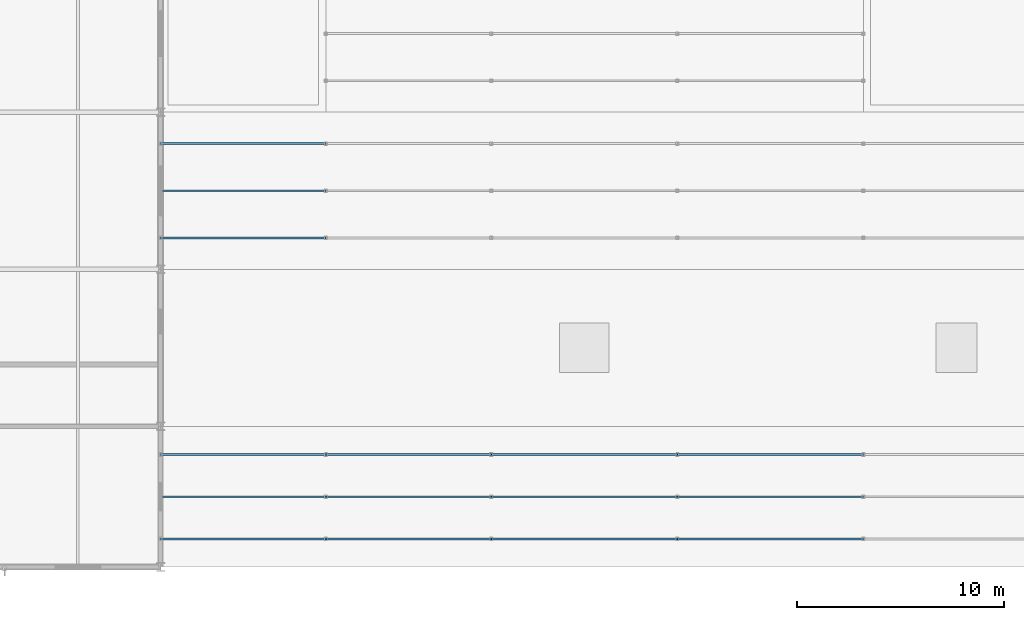
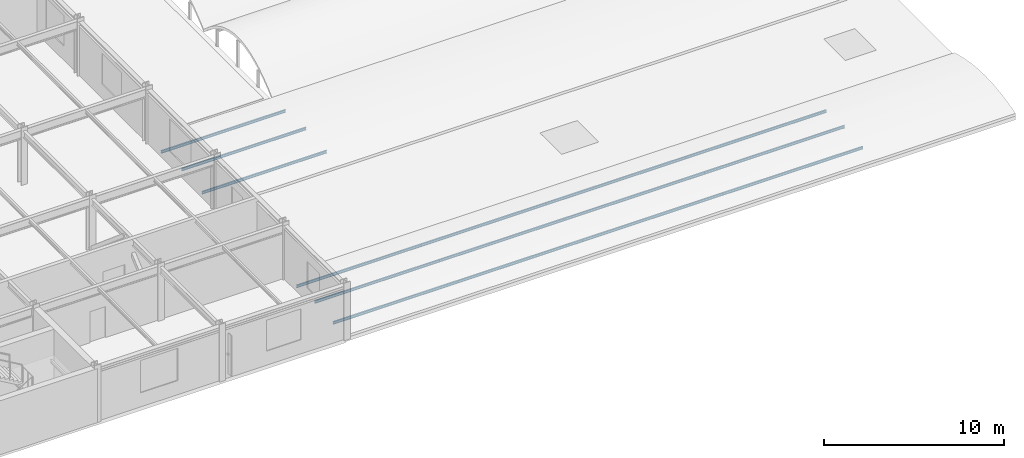
# One storey, part 14 of 46: 15 members.
"""IFC4 building model written with IfcOpenShell, lengths in metres."""

import ifcopenshell
import ifcopenshell.guid

model = None  # the IFC model being written
_history = None  # IfcOwnerHistory: only IFC2X3 demands one
_inside = {}  # id of a spatial element -> (the spatial element, [elements in it])
_under = {}  # id of a project, library or spatial element -> (it, [spatial elements below it])
_declared = {}  # id of a project -> (the project, [libraries it declares])
_typed = {}  # id of a type object -> (the type object, [elements of that type])
_made_of = {}  # id of a material, layer set ... -> (it, [elements and type objects made of it])


def new_model(schema):
    """Start an empty IFC model of exactly this schema.

    Asked for "IFC4X3", IfcOpenShell would pick the latest addendum, in which some entities
    have other attributes; the version numbers below select the first issue.
    IFC2X3 requires an IfcOwnerHistory on every rooted entity: one is made here for all.
    """
    global model, _history
    if schema == "IFC4X3":
        model = ifcopenshell.file(schema_version=(4, 3, 0, 0))
    else:
        model = ifcopenshell.file(schema=schema)
    _inside.clear()
    _under.clear()
    _declared.clear()
    _typed.clear()
    _made_of.clear()
    _history = None
    if model.schema == "IFC2X3":
        org = make("IfcOrganization", Name="unknown")
        user = make(
            "IfcPersonAndOrganization",
            ThePerson=make("IfcPerson", FamilyName="unknown"),
            TheOrganization=org,
        )
        app = make(
            "IfcApplication",
            ApplicationDeveloper=org,
            Version="unknown",
            ApplicationFullName="unknown",
            ApplicationIdentifier="unknown",
        )
        _history = make(
            "IfcOwnerHistory",
            OwningUser=user,
            OwningApplication=app,
            ChangeAction="ADDED",
            CreationDate=0,
        )
    return model


def make(cls, **values):
    """One entity of the class cls with the attributes given. An attribute that is None is left unset."""
    return model.create_entity(
        cls, **{name: value for name, value in values.items() if value is not None}
    )


def rooted(cls, **values):
    """An entity with a GlobalId (a new one), such as an element, a storey or a relation."""
    return make(cls, GlobalId=ifcopenshell.guid.new(), OwnerHistory=_history, **values)


def si_unit(unit_type, name, prefix=None):
    """IfcSIUnit, for example si_unit("LENGTHUNIT", "METRE", prefix="MILLI")."""
    return make("IfcSIUnit", UnitType=unit_type, Prefix=prefix, Name=name)


def assignment(units):
    """IfcUnitAssignment: the units of a project."""
    return None if units is None else make("IfcUnitAssignment", Units=units)


def point(xyz):
    """IfcCartesianPoint."""
    return None if xyz is None else make("IfcCartesianPoint", Coordinates=xyz)


def direction(xyz):
    """IfcDirection."""
    return None if xyz is None else make("IfcDirection", DirectionRatios=xyz)


def frame(location, z_axis=None, x_axis=None):
    """IfcAxis2Placement3D, a coordinate frame: its origin and axes. An axis left out is left unset."""
    return make(
        "IfcAxis2Placement3D",
        Location=point(location),
        Axis=direction(z_axis),
        RefDirection=direction(x_axis),
    )


def frame_2d(location, x_axis=None):
    """IfcAxis2Placement2D, a coordinate frame in the plane: its origin and x axis."""
    return make(
        "IfcAxis2Placement2D", Location=point(location), RefDirection=direction(x_axis)
    )


def origin():
    """The frame at (0, 0, 0) with its axes left unset."""
    return frame((0.0, 0.0, 0.0))


def origin_2d():
    """The frame at (0, 0) in the plane with its x axis left unset."""
    return frame_2d((0.0, 0.0))


def place(relative_to, where):
    """IfcLocalPlacement: puts the frame where relative to a parent placement (None: the world)."""
    return make(
        "IfcLocalPlacement", PlacementRelTo=relative_to, RelativePlacement=where
    )


def context(
    kind, dimensions, precision=None, world=None, true_north=None, identifier=None
):
    """IfcGeometricRepresentationContext, for example the 3D "Model" context."""
    return make(
        "IfcGeometricRepresentationContext",
        ContextIdentifier=identifier,
        ContextType=kind,
        CoordinateSpaceDimension=dimensions,
        Precision=precision,
        WorldCoordinateSystem=world,
        TrueNorth=true_north,
    )


def subcontext(parent, identifier, kind, view, scale=None):
    """IfcGeometricRepresentationSubContext, for example "Body" below "Model"."""
    return make(
        "IfcGeometricRepresentationSubContext",
        ContextIdentifier=identifier,
        ContextType=kind,
        ParentContext=parent,
        TargetScale=scale,
        TargetView=view,
    )


def project(units=None, contexts=None):
    """IfcProject with its units and contexts."""
    return rooted(
        "IfcProject",
        Name="project",
        RepresentationContexts=contexts,
        UnitsInContext=assignment(units),
    )


def spatial(cls, under=None, at=None, **own):
    """A site, building, storey or space (cls), placed at a placement, below another one or the project."""
    s = rooted(cls, ObjectPlacement=at, **own)
    if under is not None:
        _under.setdefault(under.id(), (under, []))[1].append(s)
    return s


def profile(cls, at=None, kind="AREA", **sizes):
    """A parametric profile (cls). Its sizes go by their IFC names, for example OverallWidth=200.0."""
    return make(cls, ProfileType=kind, Position=at, **sizes)


def i_section(**sizes):
    """IfcIShapeProfileDef."""
    return profile("IfcIShapeProfileDef", **sizes)


def extrude(swept, where, along, depth):
    """IfcExtrudedAreaSolid: the profile swept, set in the frame where, extruded along a direction by depth."""
    return make(
        "IfcExtrudedAreaSolid",
        SweptArea=swept,
        Position=where,
        ExtrudedDirection=direction(along),
        Depth=depth,
    )


def shape(context_of_items, identifier, shape_type, items):
    """IfcShapeRepresentation: the items that make up one representation, for example the "Body"."""
    return make(
        "IfcShapeRepresentation",
        ContextOfItems=context_of_items,
        RepresentationIdentifier=identifier,
        RepresentationType=shape_type,
        Items=items,
    )


def material(Name=None, Category=None):
    """IfcMaterial."""
    return make("IfcMaterial", Name=Name, Category=Category)


def material_profile(
    of_material, cross_section, Name=None, Category=None, Priority=None
):
    """IfcMaterialProfile: a cross section and its material."""
    return make(
        "IfcMaterialProfile",
        Name=Name,
        Material=of_material,
        Profile=cross_section,
        Priority=Priority,
        Category=Category,
    )


def profile_set(profiles, Name=None, composite=None):
    """IfcMaterialProfileSet."""
    return make(
        "IfcMaterialProfileSet",
        Name=Name,
        MaterialProfiles=profiles,
        CompositeProfile=composite,
    )


def made_of(thing, what):
    """Note that an element or type object is made of a material, layer set ...; save() writes the relation."""
    if what is not None:
        _made_of.setdefault(what.id(), (what, []))[1].append(thing)
    return thing


def type_object(cls, material=None, **own):
    """A type object (cls), such as IfcWallType, which elements share."""
    return made_of(rooted(cls, **own), material)


def element(
    cls,
    number,
    at=None,
    inside=None,
    cuts=None,
    type_object=None,
    material=None,
    context=None,
    identifier="Body",
    shape_type=None,
    held_by="IfcProductDefinitionShape",
    body=None,
    shapes=None,
    **own,
):
    """One element of the class cls, such as IfcWall. Its Tag is "e" and its number.

    at: its placement. inside: the storey or other place that contains it. cuts: it is an
    opening in that element (IfcRelVoidsElement). A single representation is given by context,
    identifier, shape_type and body (its items); several are given by shapes. held_by: the class
    of the entity that holds the representations. save() writes the other relations.
    """
    e = rooted(cls, Tag="e%d" % number, ObjectPlacement=at, **own)
    if body is not None:
        shapes = [shape(context, identifier, shape_type, body)]
    if shapes is not None:
        e.Representation = make(held_by, Representations=shapes)
    if inside is not None:
        _inside.setdefault(inside.id(), (inside, []))[1].append(e)
    if cuts is not None:
        rooted(
            "IfcRelVoidsElement", RelatingBuildingElement=cuts, RelatedOpeningElement=e
        )
    if type_object is not None:
        _typed.setdefault(type_object.id(), (type_object, []))[1].append(e)
    return made_of(e, material)


def aggregate(whole, parts):
    """IfcRelAggregates: a whole, such as a stair, and the parts it consists of."""
    return rooted("IfcRelAggregates", RelatingObject=whole, RelatedObjects=parts)


def save(model, path):
    """Write the relations noted so far, then the file.

    IfcRelAggregates (storeys below a building ...), IfcRelContainedInSpatialStructure (elements
    in a storey), IfcRelDefinesByType, IfcRelAssociatesMaterial and IfcRelDeclares: one each for
    every whole, place, type object, material and project.
    """
    for whole, parts in _under.values():
        aggregate(whole, parts)
    for where, things in _inside.values():
        rooted(
            "IfcRelContainedInSpatialStructure",
            RelatedElements=things,
            RelatingStructure=where,
        )
    for kind, things in _typed.values():
        rooted("IfcRelDefinesByType", RelatedObjects=things, RelatingType=kind)
    for what, things in _made_of.values():
        rooted("IfcRelAssociatesMaterial", RelatedObjects=things, RelatingMaterial=what)
    for by, libraries in _declared.values():
        rooted("IfcRelDeclares", RelatingContext=by, RelatedDefinitions=libraries)
    model.write(path)


model = new_model("IFC4")

# Units and contexts
model_context = context("Model", 3, precision=1e-05, world=origin(), true_north=direction((0.0, 1.0)))
body_context = subcontext(model_context, "Body", "Model", "MODEL_VIEW")
ifc_project = project(units=[si_unit("LENGTHUNIT", "METRE"), si_unit("AREAUNIT", "SQUARE_METRE"), si_unit("VOLUMEUNIT", "CUBIC_METRE"), si_unit("PLANEANGLEUNIT", "RADIAN"), si_unit("MASSUNIT", "GRAM", prefix="KILO")], contexts=[model_context])

# Site, building, storey
site_placement = place(None, origin())
site = spatial("IfcSite", under=ifc_project, at=site_placement, CompositionType="ELEMENT")
building_placement = place(site_placement, origin())
building = spatial("IfcBuilding", under=site, at=building_placement, Name="Shalkamar Park Central Library", CompositionType="ELEMENT")
storey_placement = place(building_placement, frame((0.0, 0.0, 20.39990234375)))
storey = spatial("IfcBuildingStorey", under=building, at=storey_placement, Name="L05", CompositionType="ELEMENT", Elevation=20.39990234375)

# Members
ifc_material = material(Name="Steel S355", Category="steel")
ifc_material_profile = material_profile(ifc_material, i_section(OverallWidth=0.091064453125, OverallDepth=0.179931640625, WebThickness=0.00537109375, FlangeThickness=0.008056640625, FilletRadius=0.009033203125, at=origin_2d()), Name="IPE 180")
ifc_profile_set = profile_set([ifc_material_profile], Name="Steel S355")
member_type = type_object("IfcMemberType", Name="Roof Purlin IPE180", PredefinedType="PURLIN", material=ifc_profile_set)
for number, where, z_axis, x_axis, name in (
    (1, (221.0, 249.760009765625, 0.202880859375), (1.0, 0.0, 0.0), (0.0, 1.0, 0.0), "Barrel Roof Purlin BV-L04-S1-1.14"),
    (2, (229.0, 249.760009765625, 0.202880859375), (1.0, 0.0, 0.0), (0.0, 1.0, 0.0), "Barrel Roof Purlin BV-L04-S1-1.15"),
):
    element("IfcMember", number, at=place(storey_placement, frame(where, z_axis=z_axis, x_axis=x_axis)), inside=storey, type_object=member_type, Name=name, PredefinedType="PURLIN", context=body_context, shape_type="SweptSolid", body=[
        extrude(i_section(OverallWidth=0.091064453125, OverallDepth=0.179931640625, WebThickness=0.00537109375, FlangeThickness=0.008056640625, FilletRadius=0.009033203125, at=origin_2d()), origin(), (0.0, 0.0, 1.0), 8.0),
    ])
for number, where, z_axis, x_axis, name in (
    (3, (237.0, 249.760009765625, 0.202880859375), (1.0, 0.0, 0.0), (0.0, 1.0, 0.0), "Barrel Roof Purlin BV-L04-S1-1.16"),
    (4, (246.0, 249.760009765625, 0.202880859375), (1.0, 0.0, 0.0), (0.0, 1.0, 0.0), "Barrel Roof Purlin BV-L04-S1-1.17"),
):
    element("IfcMember", number, at=place(storey_placement, frame(where, z_axis=z_axis, x_axis=x_axis)), inside=storey, type_object=member_type, Name=name, PredefinedType="PURLIN", context=body_context, shape_type="SweptSolid", body=[
        extrude(i_section(OverallWidth=0.091064453125, OverallDepth=0.179931640625, WebThickness=0.00537109375, FlangeThickness=0.008056640625, FilletRadius=0.009033203125, at=origin_2d()), origin(), (0.0, 0.0, 1.0), 9.0),
    ])
for number, where, z_axis, x_axis, name in (
    (5, (221.0, 251.800048828125, 0.39013671875), (1.0, 0.0, 0.0), (0.0, 1.0, 0.0), "Barrel Roof Purlin BV-L04-S1-2.14"),
    (6, (229.0, 251.800048828125, 0.39013671875), (1.0, 0.0, 0.0), (0.0, 1.0, 0.0), "Barrel Roof Purlin BV-L04-S1-2.15"),
):
    element("IfcMember", number, at=place(storey_placement, frame(where, z_axis=z_axis, x_axis=x_axis)), inside=storey, type_object=member_type, Name=name, PredefinedType="PURLIN", context=body_context, shape_type="SweptSolid", body=[
        extrude(i_section(OverallWidth=0.091064453125, OverallDepth=0.179931640625, WebThickness=0.00537109375, FlangeThickness=0.008056640625, FilletRadius=0.009033203125, at=origin_2d()), origin(), (0.0, 0.0, 1.0), 8.0),
    ])
for number, where, z_axis, x_axis, name in (
    (7, (237.0, 251.800048828125, 0.39013671875), (1.0, 0.0, 0.0), (0.0, 1.0, 0.0), "Barrel Roof Purlin BV-L04-S1-2.16"),
    (8, (246.0, 251.800048828125, 0.39013671875), (1.0, 0.0, 0.0), (0.0, 1.0, 0.0), "Barrel Roof Purlin BV-L04-S1-2.17"),
):
    element("IfcMember", number, at=place(storey_placement, frame(where, z_axis=z_axis, x_axis=x_axis)), inside=storey, type_object=member_type, Name=name, PredefinedType="PURLIN", context=body_context, shape_type="SweptSolid", body=[
        extrude(i_section(OverallWidth=0.091064453125, OverallDepth=0.179931640625, WebThickness=0.00537109375, FlangeThickness=0.008056640625, FilletRadius=0.009033203125, at=origin_2d()), origin(), (0.0, 0.0, 1.0), 9.0),
    ])
for number, where, z_axis, x_axis, name in (
    (9, (221.0, 253.840087890625, 0.202880859375), (1.0, 0.0, 0.0), (0.0, 1.0, 0.0), "Barrel Roof Purlin BV-L04-S1-3.14"),
    (10, (229.0, 253.840087890625, 0.202880859375), (1.0, 0.0, 0.0), (0.0, 1.0, 0.0), "Barrel Roof Purlin BV-L04-S1-3.15"),
):
    element("IfcMember", number, at=place(storey_placement, frame(where, z_axis=z_axis, x_axis=x_axis)), inside=storey, type_object=member_type, Name=name, PredefinedType="PURLIN", context=body_context, shape_type="SweptSolid", body=[
        extrude(i_section(OverallWidth=0.091064453125, OverallDepth=0.179931640625, WebThickness=0.00537109375, FlangeThickness=0.008056640625, FilletRadius=0.009033203125, at=origin_2d()), origin(), (0.0, 0.0, 1.0), 8.0),
    ])
for number, where, z_axis, x_axis, name in (
    (11, (237.0, 253.840087890625, 0.202880859375), (1.0, 0.0, 0.0), (0.0, 1.0, 0.0), "Barrel Roof Purlin BV-L04-S1-3.16"),
    (12, (246.0, 253.840087890625, 0.202880859375), (1.0, 0.0, 0.0), (0.0, 1.0, 0.0), "Barrel Roof Purlin BV-L04-S1-3.17"),
):
    element("IfcMember", number, at=place(storey_placement, frame(where, z_axis=z_axis, x_axis=x_axis)), inside=storey, type_object=member_type, Name=name, PredefinedType="PURLIN", context=body_context, shape_type="SweptSolid", body=[
        extrude(i_section(OverallWidth=0.091064453125, OverallDepth=0.179931640625, WebThickness=0.00537109375, FlangeThickness=0.008056640625, FilletRadius=0.009033203125, at=origin_2d()), origin(), (0.0, 0.0, 1.0), 9.0),
    ])
for number, where, z_axis, x_axis, name in (
    (13, (221.0, 264.320068359375, 0.202880859375), (1.0, 0.0, 0.0), (0.0, 1.0, 0.0), "Barrel Roof Purlin BV-L04-S2-1.14"),
    (14, (221.0, 266.60009765625, 0.39013671875), (1.0, 0.0, 0.0), (0.0, 1.0, 0.0), "Barrel Roof Purlin BV-L04-S2-2.14"),
    (15, (221.0, 268.8798828125, 0.202880859375), (1.0, 0.0, 0.0), (0.0, 1.0, 0.0), "Barrel Roof Purlin BV-L04-S2-3.14"),
):
    element("IfcMember", number, at=place(storey_placement, frame(where, z_axis=z_axis, x_axis=x_axis)), inside=storey, type_object=member_type, Name=name, PredefinedType="PURLIN", context=body_context, shape_type="SweptSolid", body=[
        extrude(i_section(OverallWidth=0.091064453125, OverallDepth=0.179931640625, WebThickness=0.00537109375, FlangeThickness=0.008056640625, FilletRadius=0.009033203125, at=origin_2d()), origin(), (0.0, 0.0, 1.0), 8.0),
    ])

save(model, "model.ifc")
